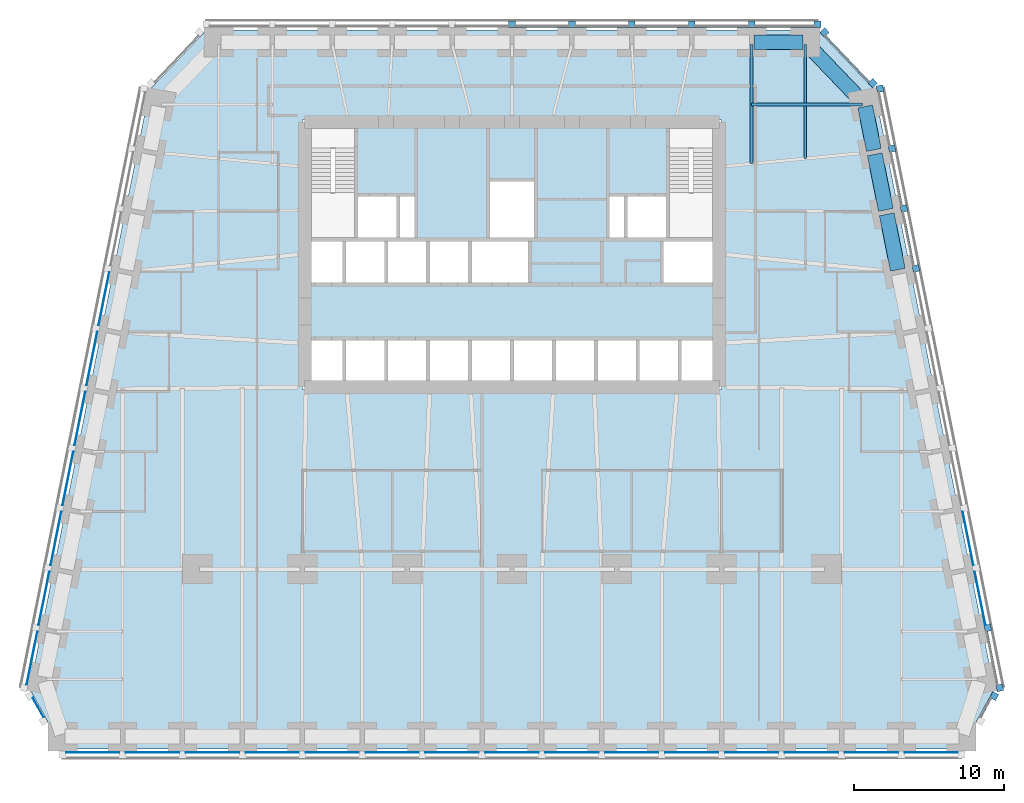
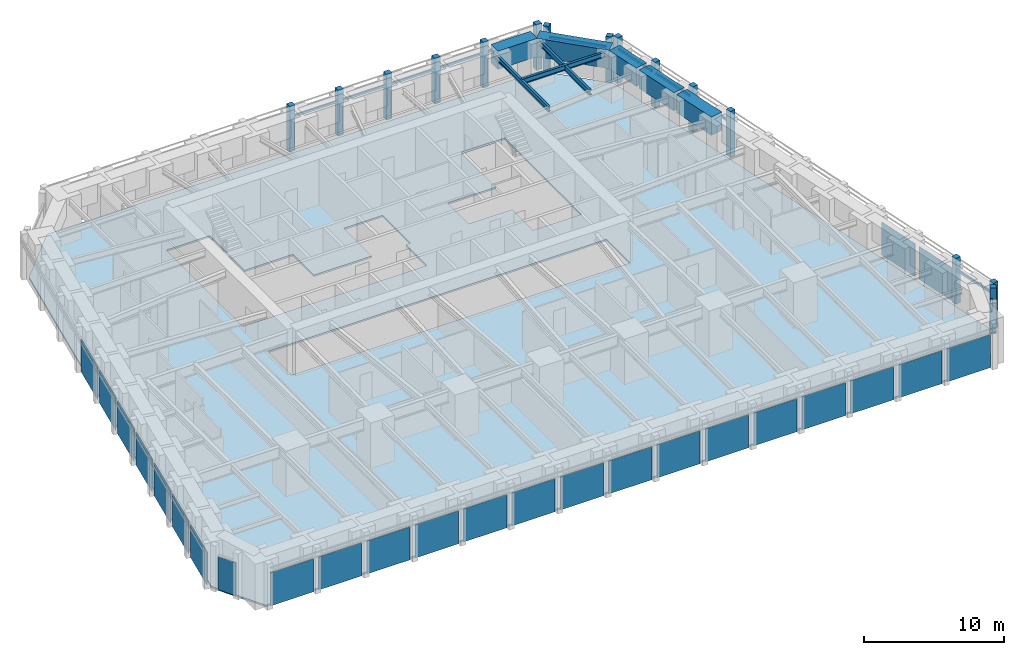
# One storey, part 4 of 10: 26 members, 25 plates, 8 beams, 1 slab, 7 elements without a shape of their own.
"""IFC4 building model written with IfcOpenShell, lengths in metres."""

import ifcopenshell
import ifcopenshell.guid

model = None  # the IFC model being written
_history = None  # IfcOwnerHistory: only IFC2X3 demands one
_inside = {}  # id of a spatial element -> (the spatial element, [elements in it])
_under = {}  # id of a project, library or spatial element -> (it, [spatial elements below it])
_declared = {}  # id of a project -> (the project, [libraries it declares])
_typed = {}  # id of a type object -> (the type object, [elements of that type])
_made_of = {}  # id of a material, layer set ... -> (it, [elements and type objects made of it])


def new_model(schema):
    """Start an empty IFC model of exactly this schema.

    Asked for "IFC4X3", IfcOpenShell would pick the latest addendum, in which some entities
    have other attributes; the version numbers below select the first issue.
    IFC2X3 requires an IfcOwnerHistory on every rooted entity: one is made here for all.
    """
    global model, _history
    if schema == "IFC4X3":
        model = ifcopenshell.file(schema_version=(4, 3, 0, 0))
    else:
        model = ifcopenshell.file(schema=schema)
    _inside.clear()
    _under.clear()
    _declared.clear()
    _typed.clear()
    _made_of.clear()
    _history = None
    if model.schema == "IFC2X3":
        org = make("IfcOrganization", Name="unknown")
        user = make(
            "IfcPersonAndOrganization",
            ThePerson=make("IfcPerson", FamilyName="unknown"),
            TheOrganization=org,
        )
        app = make(
            "IfcApplication",
            ApplicationDeveloper=org,
            Version="unknown",
            ApplicationFullName="unknown",
            ApplicationIdentifier="unknown",
        )
        _history = make(
            "IfcOwnerHistory",
            OwningUser=user,
            OwningApplication=app,
            ChangeAction="ADDED",
            CreationDate=0,
        )
    return model


def make(cls, **values):
    """One entity of the class cls with the attributes given. An attribute that is None is left unset."""
    return model.create_entity(
        cls, **{name: value for name, value in values.items() if value is not None}
    )


def rooted(cls, **values):
    """An entity with a GlobalId (a new one), such as an element, a storey or a relation."""
    return make(cls, GlobalId=ifcopenshell.guid.new(), OwnerHistory=_history, **values)


def si_unit(unit_type, name, prefix=None):
    """IfcSIUnit, for example si_unit("LENGTHUNIT", "METRE", prefix="MILLI")."""
    return make("IfcSIUnit", UnitType=unit_type, Prefix=prefix, Name=name)


def assignment(units):
    """IfcUnitAssignment: the units of a project."""
    return None if units is None else make("IfcUnitAssignment", Units=units)


def point(xyz):
    """IfcCartesianPoint."""
    return None if xyz is None else make("IfcCartesianPoint", Coordinates=xyz)


def direction(xyz):
    """IfcDirection."""
    return None if xyz is None else make("IfcDirection", DirectionRatios=xyz)


def frame(location, z_axis=None, x_axis=None):
    """IfcAxis2Placement3D, a coordinate frame: its origin and axes. An axis left out is left unset."""
    return make(
        "IfcAxis2Placement3D",
        Location=point(location),
        Axis=direction(z_axis),
        RefDirection=direction(x_axis),
    )


def frame_2d(location, x_axis=None):
    """IfcAxis2Placement2D, a coordinate frame in the plane: its origin and x axis."""
    return make(
        "IfcAxis2Placement2D", Location=point(location), RefDirection=direction(x_axis)
    )


def origin():
    """The frame at (0, 0, 0) with its axes left unset."""
    return frame((0.0, 0.0, 0.0))


def origin_2d():
    """The frame at (0, 0) in the plane with its x axis left unset."""
    return frame_2d((0.0, 0.0))


def place(relative_to, where):
    """IfcLocalPlacement: puts the frame where relative to a parent placement (None: the world)."""
    return make(
        "IfcLocalPlacement", PlacementRelTo=relative_to, RelativePlacement=where
    )


def context(
    kind, dimensions, precision=None, world=None, true_north=None, identifier=None
):
    """IfcGeometricRepresentationContext, for example the 3D "Model" context."""
    return make(
        "IfcGeometricRepresentationContext",
        ContextIdentifier=identifier,
        ContextType=kind,
        CoordinateSpaceDimension=dimensions,
        Precision=precision,
        WorldCoordinateSystem=world,
        TrueNorth=true_north,
    )


def subcontext(parent, identifier, kind, view, scale=None):
    """IfcGeometricRepresentationSubContext, for example "Body" below "Model"."""
    return make(
        "IfcGeometricRepresentationSubContext",
        ContextIdentifier=identifier,
        ContextType=kind,
        ParentContext=parent,
        TargetScale=scale,
        TargetView=view,
    )


def project(units=None, contexts=None):
    """IfcProject with its units and contexts."""
    return rooted(
        "IfcProject",
        Name="project",
        RepresentationContexts=contexts,
        UnitsInContext=assignment(units),
    )


def spatial(cls, under=None, at=None, **own):
    """A site, building, storey or space (cls), placed at a placement, below another one or the project."""
    s = rooted(cls, ObjectPlacement=at, **own)
    if under is not None:
        _under.setdefault(under.id(), (under, []))[1].append(s)
    return s


def polyline(points):
    """IfcPolyline through the points."""
    return make("IfcPolyline", Points=[point(p) for p in points])


def profile(cls, at=None, kind="AREA", **sizes):
    """A parametric profile (cls). Its sizes go by their IFC names, for example OverallWidth=200.0."""
    return make(cls, ProfileType=kind, Position=at, **sizes)


def rectangle(**sizes):
    """IfcRectangleProfileDef."""
    return profile("IfcRectangleProfileDef", **sizes)


def i_section(**sizes):
    """IfcIShapeProfileDef."""
    return profile("IfcIShapeProfileDef", **sizes)


def outline(outer, holes=None, kind="AREA"):
    """IfcArbitraryClosedProfileDef: a profile drawn as a closed curve; with holes, ...WithVoids."""
    if holes is None:
        return make("IfcArbitraryClosedProfileDef", ProfileType=kind, OuterCurve=outer)
    return make(
        "IfcArbitraryProfileDefWithVoids",
        ProfileType=kind,
        OuterCurve=outer,
        InnerCurves=holes,
    )


def extrude(swept, where, along, depth):
    """IfcExtrudedAreaSolid: the profile swept, set in the frame where, extruded along a direction by depth."""
    return make(
        "IfcExtrudedAreaSolid",
        SweptArea=swept,
        Position=where,
        ExtrudedDirection=direction(along),
        Depth=depth,
    )


def shape(context_of_items, identifier, shape_type, items):
    """IfcShapeRepresentation: the items that make up one representation, for example the "Body"."""
    return make(
        "IfcShapeRepresentation",
        ContextOfItems=context_of_items,
        RepresentationIdentifier=identifier,
        RepresentationType=shape_type,
        Items=items,
    )


def material(Name=None, Category=None):
    """IfcMaterial."""
    return make("IfcMaterial", Name=Name, Category=Category)


def layer(
    of_material, thickness, ventilated=None, Name=None, Category=None, Priority=None
):
    """IfcMaterialLayer: one layer of a wall or slab, of a material (None: an air gap)."""
    return make(
        "IfcMaterialLayer",
        Material=of_material,
        LayerThickness=thickness,
        IsVentilated=ventilated,
        Name=Name,
        Category=Category,
        Priority=Priority,
    )


def layer_set(layers, Name=None):
    """IfcMaterialLayerSet."""
    return make("IfcMaterialLayerSet", MaterialLayers=layers, LayerSetName=Name)


def material_profile(
    of_material, cross_section, Name=None, Category=None, Priority=None
):
    """IfcMaterialProfile: a cross section and its material."""
    return make(
        "IfcMaterialProfile",
        Name=Name,
        Material=of_material,
        Profile=cross_section,
        Priority=Priority,
        Category=Category,
    )


def profile_set(profiles, Name=None, composite=None):
    """IfcMaterialProfileSet."""
    return make(
        "IfcMaterialProfileSet",
        Name=Name,
        MaterialProfiles=profiles,
        CompositeProfile=composite,
    )


def made_of(thing, what):
    """Note that an element or type object is made of a material, layer set ...; save() writes the relation."""
    if what is not None:
        _made_of.setdefault(what.id(), (what, []))[1].append(thing)
    return thing


def type_object(cls, material=None, **own):
    """A type object (cls), such as IfcWallType, which elements share."""
    return made_of(rooted(cls, **own), material)


def element(
    cls,
    number,
    at=None,
    inside=None,
    cuts=None,
    type_object=None,
    material=None,
    context=None,
    identifier="Body",
    shape_type=None,
    held_by="IfcProductDefinitionShape",
    body=None,
    shapes=None,
    **own,
):
    """One element of the class cls, such as IfcWall. Its Tag is "e" and its number.

    at: its placement. inside: the storey or other place that contains it. cuts: it is an
    opening in that element (IfcRelVoidsElement). A single representation is given by context,
    identifier, shape_type and body (its items); several are given by shapes. held_by: the class
    of the entity that holds the representations. save() writes the other relations.
    """
    e = rooted(cls, Tag="e%d" % number, ObjectPlacement=at, **own)
    if body is not None:
        shapes = [shape(context, identifier, shape_type, body)]
    if shapes is not None:
        e.Representation = make(held_by, Representations=shapes)
    if inside is not None:
        _inside.setdefault(inside.id(), (inside, []))[1].append(e)
    if cuts is not None:
        rooted(
            "IfcRelVoidsElement", RelatingBuildingElement=cuts, RelatedOpeningElement=e
        )
    if type_object is not None:
        _typed.setdefault(type_object.id(), (type_object, []))[1].append(e)
    return made_of(e, material)


def aggregate(whole, parts):
    """IfcRelAggregates: a whole, such as a stair, and the parts it consists of."""
    return rooted("IfcRelAggregates", RelatingObject=whole, RelatedObjects=parts)


def save(model, path):
    """Write the relations noted so far, then the file.

    IfcRelAggregates (storeys below a building ...), IfcRelContainedInSpatialStructure (elements
    in a storey), IfcRelDefinesByType, IfcRelAssociatesMaterial and IfcRelDeclares: one each for
    every whole, place, type object, material and project.
    """
    for whole, parts in _under.values():
        aggregate(whole, parts)
    for where, things in _inside.values():
        rooted(
            "IfcRelContainedInSpatialStructure",
            RelatedElements=things,
            RelatingStructure=where,
        )
    for kind, things in _typed.values():
        rooted("IfcRelDefinesByType", RelatedObjects=things, RelatingType=kind)
    for what, things in _made_of.values():
        rooted("IfcRelAssociatesMaterial", RelatedObjects=things, RelatingMaterial=what)
    for by, libraries in _declared.values():
        rooted("IfcRelDeclares", RelatingContext=by, RelatedDefinitions=libraries)
    model.write(path)


model = new_model("IFC4")

# Units and contexts
model_context = context("Model", 3, precision=1e-05, world=origin(), true_north=direction((0.0, 1.0)))
body_context = subcontext(model_context, "Body", "Model", "MODEL_VIEW")
ifc_project = project(units=[si_unit("LENGTHUNIT", "METRE"), si_unit("AREAUNIT", "SQUARE_METRE"), si_unit("VOLUMEUNIT", "CUBIC_METRE"), si_unit("PLANEANGLEUNIT", "RADIAN"), si_unit("MASSUNIT", "GRAM", prefix="KILO")], contexts=[model_context])

# Site, building, storey
site_placement = place(None, origin())
site = spatial("IfcSite", under=ifc_project, at=site_placement, CompositionType="ELEMENT")
building_placement = place(site_placement, origin())
building = spatial("IfcBuilding", under=site, at=building_placement, Name="Isbrekke Arena Tower", CompositionType="ELEMENT")
storey_placement = place(building_placement, frame((0.0, 0.0, 60.0)))
storey = spatial("IfcBuildingStorey", under=building, at=storey_placement, Name="L12", CompositionType="ELEMENT", Elevation=60.0)

# Beams
ifc_material_1 = material(Name="Steel S355", Category="steel")
ifc_material_profile_1 = material_profile(ifc_material_1, i_section(OverallWidth=0.18994140625, OverallDepth=0.449951171875, WebThickness=0.009521484375, FlangeThickness=0.0146484375, FilletRadius=0.02099609375, at=origin_2d()), Name="IPE 450")
ifc_profile_set_1 = profile_set([ifc_material_profile_1], Name="Steel S355")
beam_type_1 = type_object("IfcBeamType", Name="B2 IPE 450", PredefinedType="BEAM", material=ifc_profile_set_1)
beam_1_placement = place(storey_placement, frame((23.40283203125, 25.029296875, 3.625), z_axis=(-1.0, 0.0, 0.0), x_axis=(0.0, -1.0, 0.0)))
element("IfcBeam", 1, at=beam_1_placement, inside=storey, type_object=beam_type_1, Name="B2 beam E-E11 L12", PredefinedType="BEAM", context=body_context, shape_type="SweptSolid", body=[
    extrude(i_section(OverallWidth=0.18994140625, OverallDepth=0.449951171875, WebThickness=0.009521484375, FlangeThickness=0.0146484375, FilletRadius=0.02099609375, at=origin_2d()), origin(), (0.0, 0.0, 1.0), 7.40283203125),
])
ifc_material_2 = material(Name="Steel S355", Category="steel")
ifc_material_profile_2 = material_profile(ifc_material_2, i_section(OverallWidth=0.18994140625, OverallDepth=0.449951171875, WebThickness=0.009521484375, FlangeThickness=0.0146484375, FilletRadius=0.02099609375, at=origin_2d()), Name="IPE 450")
ifc_profile_set_2 = profile_set([ifc_material_profile_2], Name="Steel S355")
beam_type_2 = type_object("IfcBeamType", Name="B3 IPE 450", PredefinedType="BEAM", material=ifc_profile_set_2)
beam_2_placement = place(storey_placement, frame((19.574951171875, 29.02490234375, 3.625), z_axis=(0.0, -1.0, 0.0), x_axis=(1.0, 0.0, 0.0)))
element("IfcBeam", 2, at=beam_2_placement, inside=storey, type_object=beam_type_2, Name="B3 beam N-N01 L12", PredefinedType="BEAM", context=body_context, shape_type="SweptSolid", body=[
    extrude(i_section(OverallWidth=0.18994140625, OverallDepth=0.449951171875, WebThickness=0.009521484375, FlangeThickness=0.0146484375, FilletRadius=0.02099609375, at=origin_2d()), origin(), (0.0, 0.0, 1.0), 7.616943359375),
])
beam_3_placement = place(storey_placement, frame((16.0, 29.02490234375, 3.625), z_axis=(0.0, -1.0, 0.0), x_axis=(1.0, 0.0, 0.0)))
element("IfcBeam", 3, at=beam_3_placement, inside=storey, type_object=beam_type_2, Name="B3 beam N-N02 L12", PredefinedType="BEAM", context=body_context, shape_type="SweptSolid", body=[
    extrude(i_section(OverallWidth=0.18994140625, OverallDepth=0.449951171875, WebThickness=0.009521484375, FlangeThickness=0.0146484375, FilletRadius=0.02099609375, at=origin_2d()), origin(), (0.0, 0.0, 1.0), 7.961181640625),
])

# Curtain wall, member
ifc_material_3 = material(Name="Glazed aluminium curtain wall", Category="aluminium")
curtain_wall_type = type_object("IfcCurtainWallType", Name="CWL TOWER CURTAIN WALL LOW ZONE", PredefinedType="USERDEFINED", material=ifc_material_3)
curtain_wall_1_placement = place(storey_placement, origin())
curtain_wall_1 = element("IfcCurtainWall", 4, at=curtain_wall_1_placement, inside=storey, type_object=curtain_wall_type, Name="CWL curtain wall L12-SE", ObjectType="TOWER CURTAIN WALL LOW ZONE", PredefinedType="USERDEFINED")
ifc_material_4 = material(Name="Aluminium mullion, pale brick slip cladding", Category="masonry")
ifc_material_profile_3 = material_profile(ifc_material_4, rectangle(XDim=0.449951171875, YDim=0.449951171875, at=origin_2d()), Name="PIER 450X450")
ifc_profile_set_3 = profile_set([ifc_material_profile_3], Name="Aluminium mullion, pale brick slip cladding")
member_type_1 = type_object("IfcMemberType", Name="CWL-M PIER MULLION 450 x 450", PredefinedType="MULLION", material=ifc_profile_set_3)
member_1_placement = place(storey_placement, frame((32.195556640625, -14.47509765625, 0.0), z_axis=(0.0, 0.0, 1.0), x_axis=(0.481918749773, 0.876215908676, 0.0)))
member_1 = element("IfcMember", 5, at=member_1_placement, type_object=member_type_1, Name="CWL-M mullion 2", PredefinedType="MULLION", context=body_context, shape_type="SweptSolid", body=[
    extrude(rectangle(XDim=0.449951171875, YDim=0.449951171875, at=origin_2d()), origin(), (0.0, 0.0, 1.0), 4.0),
])

# Curtain wall, members
curtain_wall_2_placement = place(storey_placement, origin())
curtain_wall_2 = element("IfcCurtainWall", 6, at=curtain_wall_2_placement, inside=storey, type_object=curtain_wall_type, Name="CWL curtain wall L12-E", ObjectType="TOWER CURTAIN WALL LOW ZONE", PredefinedType="USERDEFINED")
member_2_placement = place(storey_placement, frame((32.567626953125, -13.926513671875, 0.0), z_axis=(0.0, 0.0, 1.0), x_axis=(-0.196116135138, 0.980580675691, 0.0)))
member_2 = element("IfcMember", 7, at=member_2_placement, type_object=member_type_1, Name="CWL-M mullion 1", PredefinedType="MULLION", context=body_context, shape_type="SweptSolid", body=[
    extrude(rectangle(XDim=0.449951171875, YDim=0.449951171875, at=origin_2d()), origin(), (0.0, 0.0, 1.0), 4.0),
])
member_3_placement = place(storey_placement, frame((31.767822265625, -9.926513671875, 0.0), z_axis=(0.0, 0.0, 1.0), x_axis=(-0.196116135138, 0.980580675691, 0.0)))
member_3 = element("IfcMember", 8, at=member_3_placement, type_object=member_type_1, Name="CWL-M mullion 2", PredefinedType="MULLION", context=body_context, shape_type="SweptSolid", body=[
    extrude(rectangle(XDim=0.449951171875, YDim=0.449951171875, at=origin_2d()), origin(), (0.0, 0.0, 1.0), 4.0),
])
member_4_placement = place(storey_placement, frame((26.9677734375, 14.073486328125, 0.0), z_axis=(0.0, 0.0, 1.0), x_axis=(-0.196116135138, 0.980580675691, 0.0)))
member_4 = element("IfcMember", 9, at=member_4_placement, type_object=member_type_1, Name="CWL-M mullion 8", PredefinedType="MULLION", context=body_context, shape_type="SweptSolid", body=[
    extrude(rectangle(XDim=0.449951171875, YDim=0.449951171875, at=origin_2d()), origin(), (0.0, 0.0, 1.0), 4.0),
])
member_5_placement = place(storey_placement, frame((26.167724609375, 18.073486328125, 0.0), z_axis=(0.0, 0.0, 1.0), x_axis=(-0.196116135138, 0.980580675691, 0.0)))
member_5 = element("IfcMember", 10, at=member_5_placement, type_object=member_type_1, Name="CWL-M mullion 9", PredefinedType="MULLION", context=body_context, shape_type="SweptSolid", body=[
    extrude(rectangle(XDim=0.449951171875, YDim=0.449951171875, at=origin_2d()), origin(), (0.0, 0.0, 1.0), 4.0),
])
member_6_placement = place(storey_placement, frame((25.36767578125, 22.073486328125, 0.0), z_axis=(0.0, 0.0, 1.0), x_axis=(-0.196116135138, 0.980580675691, 0.0)))
member_6 = element("IfcMember", 11, at=member_6_placement, type_object=member_type_1, Name="CWL-M mullion 10", PredefinedType="MULLION", context=body_context, shape_type="SweptSolid", body=[
    extrude(rectangle(XDim=0.449951171875, YDim=0.449951171875, at=origin_2d()), origin(), (0.0, 0.0, 1.0), 4.0),
])
member_7_placement = place(storey_placement, frame((24.567626953125, 26.073486328125, 0.0), z_axis=(0.0, 0.0, 1.0), x_axis=(-0.196116135138, 0.980580675691, 0.0)))
member_7 = element("IfcMember", 12, at=member_7_placement, type_object=member_type_1, Name="CWL-M mullion 11", PredefinedType="MULLION", context=body_context, shape_type="SweptSolid", body=[
    extrude(rectangle(XDim=0.449951171875, YDim=0.449951171875, at=origin_2d()), origin(), (0.0, 0.0, 1.0), 4.0),
])

curtain_wall_3_placement = place(storey_placement, origin())
curtain_wall_3 = element("IfcCurtainWall", 13, at=curtain_wall_3_placement, inside=storey, type_object=curtain_wall_type, Name="CWL curtain wall L12-EN", ObjectType="TOWER CURTAIN WALL LOW ZONE", PredefinedType="USERDEFINED")
member_8_placement = place(storey_placement, frame((24.08837890625, 26.444091796875, 0.0), z_axis=(0.0, 0.0, 1.0), x_axis=(-0.68874946192, 0.72499943359, 0.0)))
member_8 = element("IfcMember", 14, at=member_8_placement, type_object=member_type_1, Name="CWL-M mullion 1", PredefinedType="MULLION", context=body_context, shape_type="SweptSolid", body=[
    extrude(rectangle(XDim=0.449951171875, YDim=0.449951171875, at=origin_2d()), origin(), (0.0, 0.0, 1.0), 4.0),
])
member_9_placement = place(storey_placement, frame((20.86572265625, 29.83642578125, 0.0), z_axis=(0.0, 0.0, 1.0), x_axis=(-0.68874946192, 0.72499943359, 0.0)))
member_9 = element("IfcMember", 15, at=member_9_placement, type_object=member_type_1, Name="CWL-M mullion 2", PredefinedType="MULLION", context=body_context, shape_type="SweptSolid", body=[
    extrude(rectangle(XDim=0.449951171875, YDim=0.449951171875, at=origin_2d()), origin(), (0.0, 0.0, 1.0), 4.0),
])

curtain_wall_4_placement = place(storey_placement, origin())
curtain_wall_4 = element("IfcCurtainWall", 16, at=curtain_wall_4_placement, inside=storey, type_object=curtain_wall_type, Name="CWL curtain wall L12-N", ObjectType="TOWER CURTAIN WALL LOW ZONE", PredefinedType="USERDEFINED")
member_10_placement = place(storey_placement, frame((20.39990234375, 30.375, 0.0), z_axis=(0.0, 0.0, 1.0), x_axis=(-1.0, 0.0, 0.0)))
member_10 = element("IfcMember", 17, at=member_10_placement, type_object=member_type_1, Name="CWL-M mullion 1", PredefinedType="MULLION", context=body_context, shape_type="SweptSolid", body=[
    extrude(rectangle(XDim=0.449951171875, YDim=0.449951171875, at=origin_2d()), origin(), (0.0, 0.0, 1.0), 4.0),
])
member_11_placement = place(storey_placement, frame((16.0, 30.375, 0.0), z_axis=(0.0, 0.0, 1.0), x_axis=(-1.0, 0.0, 0.0)))
member_11 = element("IfcMember", 18, at=member_11_placement, type_object=member_type_1, Name="CWL-M mullion 2", PredefinedType="MULLION", context=body_context, shape_type="SweptSolid", body=[
    extrude(rectangle(XDim=0.449951171875, YDim=0.449951171875, at=origin_2d()), origin(), (0.0, 0.0, 1.0), 4.0),
])
member_12_placement = place(storey_placement, frame((12.0, 30.375, 0.0), z_axis=(0.0, 0.0, 1.0), x_axis=(-1.0, 0.0, 0.0)))
member_12 = element("IfcMember", 19, at=member_12_placement, type_object=member_type_1, Name="CWL-M mullion 3", PredefinedType="MULLION", context=body_context, shape_type="SweptSolid", body=[
    extrude(rectangle(XDim=0.449951171875, YDim=0.449951171875, at=origin_2d()), origin(), (0.0, 0.0, 1.0), 4.0),
])
member_13_placement = place(storey_placement, frame((8.0, 30.375, 0.0), z_axis=(0.0, 0.0, 1.0), x_axis=(-1.0, 0.0, 0.0)))
member_13 = element("IfcMember", 20, at=member_13_placement, type_object=member_type_1, Name="CWL-M mullion 4", PredefinedType="MULLION", context=body_context, shape_type="SweptSolid", body=[
    extrude(rectangle(XDim=0.449951171875, YDim=0.449951171875, at=origin_2d()), origin(), (0.0, 0.0, 1.0), 4.0),
])
member_14_placement = place(storey_placement, frame((4.0, 30.375, 0.0), z_axis=(0.0, 0.0, 1.0), x_axis=(-1.0, 0.0, 0.0)))
member_14 = element("IfcMember", 21, at=member_14_placement, type_object=member_type_1, Name="CWL-M mullion 5", PredefinedType="MULLION", context=body_context, shape_type="SweptSolid", body=[
    extrude(rectangle(XDim=0.449951171875, YDim=0.449951171875, at=origin_2d()), origin(), (0.0, 0.0, 1.0), 4.0),
])
member_15_placement = place(storey_placement, frame((0.0, 30.375, 0.0), z_axis=(0.0, 0.0, 1.0), x_axis=(-1.0, 0.0, 0.0)))
member_15 = element("IfcMember", 22, at=member_15_placement, type_object=member_type_1, Name="CWL-M mullion 6", PredefinedType="MULLION", context=body_context, shape_type="SweptSolid", body=[
    extrude(rectangle(XDim=0.449951171875, YDim=0.449951171875, at=origin_2d()), origin(), (0.0, 0.0, 1.0), 4.0),
])

# Member
ifc_material_5 = material(Name="Aluminium transom", Category="aluminium")
ifc_material_profile_4 = material_profile(ifc_material_5, rectangle(XDim=0.1201171875, YDim=0.199951171875, at=origin_2d()), Name="TRANSOM 120X200")
ifc_profile_set_4 = profile_set([ifc_material_profile_4], Name="Aluminium transom")
member_type_2 = type_object("IfcMemberType", Name="CWL-T TRANSOM 120 x 200", PredefinedType="USERDEFINED", material=ifc_profile_set_4)
member_16_placement = place(storey_placement, frame((31.277099609375, -15.88525390625, 3.0), z_axis=(0.481944543569, 0.876201721594, 0.0), x_axis=(-0.876201721594, 0.481944543569, 0.0)))
member_16 = element("IfcMember", 23, at=member_16_placement, type_object=member_type_2, Name="CWL-T transom 1", ObjectType="TRANSOM", PredefinedType="USERDEFINED", context=body_context, shape_type="SweptSolid", body=[
    extrude(rectangle(XDim=0.1201171875, YDim=0.199951171875, at=origin_2d()), origin(), (0.0, 0.0, 1.0), 1.453369140625),
])

aggregate(curtain_wall_1, [member_1, member_16])

member_17_placement = place(storey_placement, frame((32.401123046875, -13.730224609375, 3.0), z_axis=(-0.196167883278, 0.980570324643, 0.0), x_axis=(-0.980570324643, -0.196167883278, 0.0)))
member_17 = element("IfcMember", 24, at=member_17_placement, type_object=member_type_2, Name="CWL-T transom 1", ObjectType="TRANSOM", PredefinedType="USERDEFINED", context=body_context, shape_type="SweptSolid", body=[
    extrude(rectangle(XDim=0.1201171875, YDim=0.199951171875, at=origin_2d()), origin(), (0.0, 0.0, 1.0), 3.629150390625),
])

member_18_placement = place(storey_placement, frame((26.801025390625, 14.269775390625, 3.0), z_axis=(-0.196103197847, 0.98058326306, 0.0), x_axis=(-0.98058326306, -0.196103197847, 0.0)))
member_18 = element("IfcMember", 25, at=member_18_placement, type_object=member_type_2, Name="CWL-T transom 8", ObjectType="TRANSOM", PredefinedType="USERDEFINED", context=body_context, shape_type="SweptSolid", body=[
    extrude(rectangle(XDim=0.1201171875, YDim=0.199951171875, at=origin_2d()), origin(), (0.0, 0.0, 1.0), 3.629150390625),
])

member_19_placement = place(storey_placement, frame((26.0009765625, 18.269775390625, 3.0), z_axis=(-0.196103197847, 0.98058326306, 0.0), x_axis=(-0.98058326306, -0.196103197847, 0.0)))
member_19 = element("IfcMember", 26, at=member_19_placement, type_object=member_type_2, Name="CWL-T transom 9", ObjectType="TRANSOM", PredefinedType="USERDEFINED", context=body_context, shape_type="SweptSolid", body=[
    extrude(rectangle(XDim=0.1201171875, YDim=0.199951171875, at=origin_2d()), origin(), (0.0, 0.0, 1.0), 3.629150390625),
])

member_20_placement = place(storey_placement, frame((25.200927734375, 22.269775390625, 3.0), z_axis=(-0.196103197847, 0.98058326306, 0.0), x_axis=(-0.98058326306, -0.196103197847, 0.0)))
member_20 = element("IfcMember", 27, at=member_20_placement, type_object=member_type_2, Name="CWL-T transom 10", ObjectType="TRANSOM", PredefinedType="USERDEFINED", context=body_context, shape_type="SweptSolid", body=[
    extrude(rectangle(XDim=0.1201171875, YDim=0.199951171875, at=origin_2d()), origin(), (0.0, 0.0, 1.0), 3.629150390625),
])

member_21_placement = place(storey_placement, frame((23.8427734375, 26.521240234375, 3.0), z_axis=(-0.688776771287, 0.724973488712, 0.0), x_axis=(-0.724973488712, -0.688776771287, 0.0)))
member_21 = element("IfcMember", 28, at=member_21_placement, type_object=member_type_2, Name="CWL-T transom 1", ObjectType="TRANSOM", PredefinedType="USERDEFINED", context=body_context, shape_type="SweptSolid", body=[
    extrude(rectangle(XDim=0.1201171875, YDim=0.199951171875, at=origin_2d()), origin(), (0.0, 0.0, 1.0), 4.22900390625),
])

aggregate(curtain_wall_3, [member_8, member_9, member_21])

member_22_placement = place(storey_placement, frame((20.175048828125, 30.25, 3.0), z_axis=(-1.0, 0.0, 0.0), x_axis=(0.0, -1.0, 0.0)))
member_22 = element("IfcMember", 29, at=member_22_placement, type_object=member_type_2, Name="CWL-T transom 1", ObjectType="TRANSOM", PredefinedType="USERDEFINED", context=body_context, shape_type="SweptSolid", body=[
    extrude(rectangle(XDim=0.1201171875, YDim=0.199951171875, at=origin_2d()), origin(), (0.0, 0.0, 1.0), 3.949951171875),
])

member_23_placement = place(storey_placement, frame((15.77490234375, 30.25, 3.0), z_axis=(-1.0, 0.0, 0.0), x_axis=(0.0, -1.0, 0.0)))
member_23 = element("IfcMember", 30, at=member_23_placement, type_object=member_type_2, Name="CWL-T transom 2", ObjectType="TRANSOM", PredefinedType="USERDEFINED", context=body_context, shape_type="SweptSolid", body=[
    extrude(rectangle(XDim=0.1201171875, YDim=0.199951171875, at=origin_2d()), origin(), (0.0, 0.0, 1.0), 3.5498046875),
])

member_24_placement = place(storey_placement, frame((11.77490234375, 30.25, 3.0), z_axis=(-1.0, 0.0, 0.0), x_axis=(0.0, -1.0, 0.0)))
member_24 = element("IfcMember", 31, at=member_24_placement, type_object=member_type_2, Name="CWL-T transom 3", ObjectType="TRANSOM", PredefinedType="USERDEFINED", context=body_context, shape_type="SweptSolid", body=[
    extrude(rectangle(XDim=0.1201171875, YDim=0.199951171875, at=origin_2d()), origin(), (0.0, 0.0, 1.0), 3.5498046875),
])

member_25_placement = place(storey_placement, frame((7.77490234375, 30.25, 3.0), z_axis=(-1.0, 0.0, 0.0), x_axis=(0.0, -1.0, 0.0)))
member_25 = element("IfcMember", 32, at=member_25_placement, type_object=member_type_2, Name="CWL-T transom 4", ObjectType="TRANSOM", PredefinedType="USERDEFINED", context=body_context, shape_type="SweptSolid", body=[
    extrude(rectangle(XDim=0.1201171875, YDim=0.199951171875, at=origin_2d()), origin(), (0.0, 0.0, 1.0), 3.5498046875),
])

member_26_placement = place(storey_placement, frame((3.77490234375, 30.25, 3.0), z_axis=(-1.0, 0.0, 0.0), x_axis=(0.0, -1.0, 0.0)))
member_26 = element("IfcMember", 33, at=member_26_placement, type_object=member_type_2, Name="CWL-T transom 5", ObjectType="TRANSOM", PredefinedType="USERDEFINED", context=body_context, shape_type="SweptSolid", body=[
    extrude(rectangle(XDim=0.1201171875, YDim=0.199951171875, at=origin_2d()), origin(), (0.0, 0.0, 1.0), 3.5498046875),
])

aggregate(curtain_wall_4, [member_10, member_11, member_12, member_13, member_14, member_15, member_22, member_23, member_24, member_25, member_26])

# Beams
ifc_material_6 = material(Name="Concrete B90 (C90/105)", Category="concrete")
ifc_material_profile_5 = material_profile(ifc_material_6, rectangle(XDim=1.0, YDim=1.60009765625, at=origin_2d()), Name="RC 1000x1600")
ifc_profile_set_5 = profile_set([ifc_material_profile_5], Name="Concrete B90 (C90/105)")
beam_type_3 = type_object("IfcBeamType", Name="SB1 RC 1000 x 1600", PredefinedType="SPANDREL", material=ifc_profile_set_5)
for number, where, z_axis, x_axis, name in (
    (34, (25.76171875, 13.9853515625, 3.199951171875), (-0.196128558387, 0.980578190959, 0.0), (-0.980578190959, -0.196128558387, 0.0), "SB1 spandrel E08-E09 L12"),
    (35, (24.961669921875, 17.9853515625, 3.199951171875), (-0.196128558387, 0.980578190959, 0.0), (-0.980578190959, -0.196128558387, 0.0), "SB1 spandrel E09-E10 L12"),
):
    element("IfcBeam", number, at=place(storey_placement, frame(where, z_axis=z_axis, x_axis=x_axis)), inside=storey, type_object=beam_type_3, Name=name, PredefinedType="SPANDREL", context=body_context, shape_type="SweptSolid", body=[
        extrude(rectangle(XDim=1.0, YDim=1.60009765625, at=origin_2d()), origin(), (0.0, 0.0, 1.0), 3.779296875),
    ])
beam_4_placement = place(storey_placement, frame((24.16162109375, 21.9853515625, 3.199951171875), z_axis=(-0.196116135138, 0.980580675691, 0.0), x_axis=(-0.980580675691, -0.196116135138, 0.0)))
element("IfcBeam", 36, at=beam_4_placement, inside=storey, type_object=beam_type_3, Name="SB1 spandrel E10-E11 L12", PredefinedType="SPANDREL", context=body_context, shape_type="SweptSolid", body=[
    extrude(rectangle(XDim=1.0, YDim=1.60009765625, at=origin_2d()), origin(), (0.0, 0.0, 1.0), 2.9541015625),
])
beam_5_placement = place(storey_placement, frame((23.448974609375, 25.137451171875, 3.199951171875), z_axis=(-0.692339547635, 0.721571861134, 0.0), x_axis=(-0.721571861134, -0.692339547635, 0.0)))
element("IfcBeam", 37, at=beam_5_placement, inside=storey, type_object=beam_type_3, Name="SB1 spandrel E11-N01 L12", PredefinedType="SPANDREL", context=body_context, shape_type="SweptSolid", body=[
    extrude(rectangle(XDim=1.0, YDim=1.60009765625, at=origin_2d()), origin(), (0.0, 0.0, 1.0), 5.4453125),
])
beam_6_placement = place(storey_placement, frame((19.425048828125, 29.175048828125, 3.199951171875), z_axis=(-1.0, 0.0, 0.0), x_axis=(0.0, -1.0, 0.0)))
element("IfcBeam", 38, at=beam_6_placement, inside=storey, type_object=beam_type_3, Name="SB1 spandrel N01-N02 L12", PredefinedType="SPANDREL", context=body_context, shape_type="SweptSolid", body=[
    extrude(rectangle(XDim=1.0, YDim=1.60009765625, at=origin_2d()), origin(), (0.0, 0.0, 1.0), 3.275146484375),
])

# Curtain wall, plates
curtain_wall_5_placement = place(storey_placement, origin())
curtain_wall_5 = element("IfcCurtainWall", 39, at=curtain_wall_5_placement, inside=storey, type_object=curtain_wall_type, Name="CWL curtain wall L12-S", ObjectType="TOWER CURTAIN WALL LOW ZONE", PredefinedType="USERDEFINED")
ifc_material_7 = material(Name="Triple-glazed clear glass unit", Category="glass")
ifc_layer_1 = layer(ifc_material_7, 0.031982421875)
ifc_layer_set_1 = layer_set([ifc_layer_1], Name="CWL-P VISION PANEL")
plate_type = type_object("IfcPlateType", Name="CWL-P VISION PANEL", PredefinedType="CURTAIN_PANEL", material=ifc_layer_set_1)
plate_1_placement = place(storey_placement, frame((-28.0, -18.25, 0.02001953125), z_axis=(0.0, 0.0, 1.0), x_axis=(1.0, 0.0, 0.0)))
plate_1 = element("IfcPlate", 40, at=plate_1_placement, type_object=plate_type, Name="CWL-P panel 1", PredefinedType="CURTAIN_PANEL", context=body_context, shape_type="SweptSolid", body=[
    extrude(rectangle(XDim=3.550048828125, YDim=0.031982421875, at=origin_2d()), origin(), (0.0, 0.0, 1.0), 2.8798828125),
])
plate_2_placement = place(storey_placement, frame((-24.0, -18.25, 0.02001953125), z_axis=(0.0, 0.0, 1.0), x_axis=(1.0, 0.0, 0.0)))
plate_2 = element("IfcPlate", 41, at=plate_2_placement, type_object=plate_type, Name="CWL-P panel 2", PredefinedType="CURTAIN_PANEL", context=body_context, shape_type="SweptSolid", body=[
    extrude(rectangle(XDim=3.550048828125, YDim=0.031982421875, at=origin_2d()), origin(), (0.0, 0.0, 1.0), 2.8798828125),
])
plate_3_placement = place(storey_placement, frame((-20.0, -18.25, 0.02001953125), z_axis=(0.0, 0.0, 1.0), x_axis=(1.0, 0.0, 0.0)))
plate_3 = element("IfcPlate", 42, at=plate_3_placement, type_object=plate_type, Name="CWL-P panel 3", PredefinedType="CURTAIN_PANEL", context=body_context, shape_type="SweptSolid", body=[
    extrude(rectangle(XDim=3.550048828125, YDim=0.031982421875, at=origin_2d()), origin(), (0.0, 0.0, 1.0), 2.8798828125),
])
plate_4_placement = place(storey_placement, frame((-16.0, -18.25, 0.02001953125), z_axis=(0.0, 0.0, 1.0), x_axis=(1.0, 0.0, 0.0)))
plate_4 = element("IfcPlate", 43, at=plate_4_placement, type_object=plate_type, Name="CWL-P panel 4", PredefinedType="CURTAIN_PANEL", context=body_context, shape_type="SweptSolid", body=[
    extrude(rectangle(XDim=3.550048828125, YDim=0.031982421875, at=origin_2d()), origin(), (0.0, 0.0, 1.0), 2.8798828125),
])
plate_5_placement = place(storey_placement, frame((-12.0, -18.25, 0.02001953125), z_axis=(0.0, 0.0, 1.0), x_axis=(1.0, 0.0, 0.0)))
plate_5 = element("IfcPlate", 44, at=plate_5_placement, type_object=plate_type, Name="CWL-P panel 5", PredefinedType="CURTAIN_PANEL", context=body_context, shape_type="SweptSolid", body=[
    extrude(rectangle(XDim=3.550048828125, YDim=0.031982421875, at=origin_2d()), origin(), (0.0, 0.0, 1.0), 2.8798828125),
])
plate_6_placement = place(storey_placement, frame((-8.0, -18.25, 0.02001953125), z_axis=(0.0, 0.0, 1.0), x_axis=(1.0, 0.0, 0.0)))
plate_6 = element("IfcPlate", 45, at=plate_6_placement, type_object=plate_type, Name="CWL-P panel 6", PredefinedType="CURTAIN_PANEL", context=body_context, shape_type="SweptSolid", body=[
    extrude(rectangle(XDim=3.550048828125, YDim=0.031982421875, at=origin_2d()), origin(), (0.0, 0.0, 1.0), 2.8798828125),
])
plate_7_placement = place(storey_placement, frame((-4.0, -18.25, 0.02001953125), z_axis=(0.0, 0.0, 1.0), x_axis=(1.0, 0.0, 0.0)))
plate_7 = element("IfcPlate", 46, at=plate_7_placement, type_object=plate_type, Name="CWL-P panel 7", PredefinedType="CURTAIN_PANEL", context=body_context, shape_type="SweptSolid", body=[
    extrude(rectangle(XDim=3.550048828125, YDim=0.031982421875, at=origin_2d()), origin(), (0.0, 0.0, 1.0), 2.8798828125),
])
plate_8_placement = place(storey_placement, frame((0.0, -18.25, 0.02001953125), z_axis=(0.0, 0.0, 1.0), x_axis=(1.0, 0.0, 0.0)))
plate_8 = element("IfcPlate", 47, at=plate_8_placement, type_object=plate_type, Name="CWL-P panel 8", PredefinedType="CURTAIN_PANEL", context=body_context, shape_type="SweptSolid", body=[
    extrude(rectangle(XDim=3.550048828125, YDim=0.031982421875, at=origin_2d()), origin(), (0.0, 0.0, 1.0), 2.8798828125),
])
plate_9_placement = place(storey_placement, frame((4.0, -18.25, 0.02001953125), z_axis=(0.0, 0.0, 1.0), x_axis=(1.0, 0.0, 0.0)))
plate_9 = element("IfcPlate", 48, at=plate_9_placement, type_object=plate_type, Name="CWL-P panel 9", PredefinedType="CURTAIN_PANEL", context=body_context, shape_type="SweptSolid", body=[
    extrude(rectangle(XDim=3.550048828125, YDim=0.031982421875, at=origin_2d()), origin(), (0.0, 0.0, 1.0), 2.8798828125),
])
plate_10_placement = place(storey_placement, frame((8.0, -18.25, 0.02001953125), z_axis=(0.0, 0.0, 1.0), x_axis=(1.0, 0.0, 0.0)))
plate_10 = element("IfcPlate", 49, at=plate_10_placement, type_object=plate_type, Name="CWL-P panel 10", PredefinedType="CURTAIN_PANEL", context=body_context, shape_type="SweptSolid", body=[
    extrude(rectangle(XDim=3.550048828125, YDim=0.031982421875, at=origin_2d()), origin(), (0.0, 0.0, 1.0), 2.8798828125),
])
plate_11_placement = place(storey_placement, frame((12.0, -18.25, 0.02001953125), z_axis=(0.0, 0.0, 1.0), x_axis=(1.0, 0.0, 0.0)))
plate_11 = element("IfcPlate", 50, at=plate_11_placement, type_object=plate_type, Name="CWL-P panel 11", PredefinedType="CURTAIN_PANEL", context=body_context, shape_type="SweptSolid", body=[
    extrude(rectangle(XDim=3.550048828125, YDim=0.031982421875, at=origin_2d()), origin(), (0.0, 0.0, 1.0), 2.8798828125),
])
plate_12_placement = place(storey_placement, frame((16.0, -18.25, 0.02001953125), z_axis=(0.0, 0.0, 1.0), x_axis=(1.0, 0.0, 0.0)))
plate_12 = element("IfcPlate", 51, at=plate_12_placement, type_object=plate_type, Name="CWL-P panel 12", PredefinedType="CURTAIN_PANEL", context=body_context, shape_type="SweptSolid", body=[
    extrude(rectangle(XDim=3.550048828125, YDim=0.031982421875, at=origin_2d()), origin(), (0.0, 0.0, 1.0), 2.8798828125),
])
plate_13_placement = place(storey_placement, frame((20.0, -18.25, 0.02001953125), z_axis=(0.0, 0.0, 1.0), x_axis=(1.0, 0.0, 0.0)))
plate_13 = element("IfcPlate", 52, at=plate_13_placement, type_object=plate_type, Name="CWL-P panel 13", PredefinedType="CURTAIN_PANEL", context=body_context, shape_type="SweptSolid", body=[
    extrude(rectangle(XDim=3.550048828125, YDim=0.031982421875, at=origin_2d()), origin(), (0.0, 0.0, 1.0), 2.8798828125),
])
plate_14_placement = place(storey_placement, frame((24.0, -18.25, 0.02001953125), z_axis=(0.0, 0.0, 1.0), x_axis=(1.0, 0.0, 0.0)))
plate_14 = element("IfcPlate", 53, at=plate_14_placement, type_object=plate_type, Name="CWL-P panel 14", PredefinedType="CURTAIN_PANEL", context=body_context, shape_type="SweptSolid", body=[
    extrude(rectangle(XDim=3.550048828125, YDim=0.031982421875, at=origin_2d()), origin(), (0.0, 0.0, 1.0), 2.8798828125),
])
plate_15_placement = place(storey_placement, frame((28.0, -18.25, 0.02001953125), z_axis=(0.0, 0.0, 1.0), x_axis=(1.0, 0.0, 0.0)))
plate_15 = element("IfcPlate", 54, at=plate_15_placement, type_object=plate_type, Name="CWL-P panel 15", PredefinedType="CURTAIN_PANEL", context=body_context, shape_type="SweptSolid", body=[
    extrude(rectangle(XDim=3.550048828125, YDim=0.031982421875, at=origin_2d()), origin(), (0.0, 0.0, 1.0), 2.8798828125),
])
aggregate(curtain_wall_5, [plate_1, plate_2, plate_3, plate_4, plate_5, plate_6, plate_7, plate_8, plate_9, plate_10, plate_11, plate_12, plate_13, plate_14, plate_15])

# Plate
plate_16_placement = place(storey_placement, frame((31.2451171875, -7.950927734375, 0.02001953125), z_axis=(0.0, 0.0, 1.0), x_axis=(-0.196116135138, 0.980580675691, 0.0)))
plate_16 = element("IfcPlate", 55, at=plate_16_placement, type_object=plate_type, Name="CWL-P panel 2", PredefinedType="CURTAIN_PANEL", context=body_context, shape_type="SweptSolid", body=[
    extrude(rectangle(XDim=3.629150390625, YDim=0.031982421875, at=origin_2d()), origin(), (0.0, 0.0, 1.0), 2.8798828125),
])

plate_17_placement = place(storey_placement, frame((30.445068359375, -3.950927734375, 0.02001953125), z_axis=(0.0, 0.0, 1.0), x_axis=(-0.196116135138, 0.980580675691, 0.0)))
plate_17 = element("IfcPlate", 56, at=plate_17_placement, type_object=plate_type, Name="CWL-P panel 3", PredefinedType="CURTAIN_PANEL", context=body_context, shape_type="SweptSolid", body=[
    extrude(rectangle(XDim=3.629150390625, YDim=0.031982421875, at=origin_2d()), origin(), (0.0, 0.0, 1.0), 2.8798828125),
])

aggregate(curtain_wall_2, [member_2, member_3, member_4, member_5, member_6, member_7, member_17, plate_16, plate_17, member_18, member_19, member_20])

# Curtain wall, plates
curtain_wall_6_placement = place(storey_placement, origin())
curtain_wall_6 = element("IfcCurtainWall", 57, at=curtain_wall_6_placement, inside=storey, type_object=curtain_wall_type, Name="CWL curtain wall L12-W", ObjectType="TOWER CURTAIN WALL LOW ZONE", PredefinedType="USERDEFINED")
plate_18_placement = place(storey_placement, frame((-27.2451171875, 12.049072265625, 0.02001953125), z_axis=(0.0, 0.0, 1.0), x_axis=(-0.196116135138, -0.980580675691, 0.0)))
plate_18 = element("IfcPlate", 58, at=plate_18_placement, type_object=plate_type, Name="CWL-P panel 4", PredefinedType="CURTAIN_PANEL", context=body_context, shape_type="SweptSolid", body=[
    extrude(rectangle(XDim=3.629150390625, YDim=0.031982421875, at=origin_2d()), origin(), (0.0, 0.0, 1.0), 2.8798828125),
])
plate_19_placement = place(storey_placement, frame((-28.045166015625, 8.049072265625, 0.02001953125), z_axis=(0.0, 0.0, 1.0), x_axis=(-0.196116135138, -0.980580675691, 0.0)))
plate_19 = element("IfcPlate", 59, at=plate_19_placement, type_object=plate_type, Name="CWL-P panel 5", PredefinedType="CURTAIN_PANEL", context=body_context, shape_type="SweptSolid", body=[
    extrude(rectangle(XDim=3.629150390625, YDim=0.031982421875, at=origin_2d()), origin(), (0.0, 0.0, 1.0), 2.8798828125),
])
plate_20_placement = place(storey_placement, frame((-28.84521484375, 4.049072265625, 0.02001953125), z_axis=(0.0, 0.0, 1.0), x_axis=(-0.196116135138, -0.980580675691, 0.0)))
plate_20 = element("IfcPlate", 60, at=plate_20_placement, type_object=plate_type, Name="CWL-P panel 6", PredefinedType="CURTAIN_PANEL", context=body_context, shape_type="SweptSolid", body=[
    extrude(rectangle(XDim=3.629150390625, YDim=0.031982421875, at=origin_2d()), origin(), (0.0, 0.0, 1.0), 2.8798828125),
])
plate_21_placement = place(storey_placement, frame((-29.645263671875, 0.049072265625, 0.02001953125), z_axis=(0.0, 0.0, 1.0), x_axis=(-0.196116135138, -0.980580675691, 0.0)))
plate_21 = element("IfcPlate", 61, at=plate_21_placement, type_object=plate_type, Name="CWL-P panel 7", PredefinedType="CURTAIN_PANEL", context=body_context, shape_type="SweptSolid", body=[
    extrude(rectangle(XDim=3.629150390625, YDim=0.031982421875, at=origin_2d()), origin(), (0.0, 0.0, 1.0), 2.8798828125),
])
plate_22_placement = place(storey_placement, frame((-30.445068359375, -3.950927734375, 0.02001953125), z_axis=(0.0, 0.0, 1.0), x_axis=(-0.196116135138, -0.980580675691, 0.0)))
plate_22 = element("IfcPlate", 62, at=plate_22_placement, type_object=plate_type, Name="CWL-P panel 8", PredefinedType="CURTAIN_PANEL", context=body_context, shape_type="SweptSolid", body=[
    extrude(rectangle(XDim=3.629150390625, YDim=0.031982421875, at=origin_2d()), origin(), (0.0, 0.0, 1.0), 2.8798828125),
])
plate_23_placement = place(storey_placement, frame((-31.2451171875, -7.950927734375, 0.02001953125), z_axis=(0.0, 0.0, 1.0), x_axis=(-0.196116135138, -0.980580675691, 0.0)))
plate_23 = element("IfcPlate", 63, at=plate_23_placement, type_object=plate_type, Name="CWL-P panel 9", PredefinedType="CURTAIN_PANEL", context=body_context, shape_type="SweptSolid", body=[
    extrude(rectangle(XDim=3.629150390625, YDim=0.031982421875, at=origin_2d()), origin(), (0.0, 0.0, 1.0), 2.8798828125),
])
plate_24_placement = place(storey_placement, frame((-32.045166015625, -11.950927734375, 0.02001953125), z_axis=(0.0, 0.0, 1.0), x_axis=(-0.196116135138, -0.980580675691, 0.0)))
plate_24 = element("IfcPlate", 64, at=plate_24_placement, type_object=plate_type, Name="CWL-P panel 10", PredefinedType="CURTAIN_PANEL", context=body_context, shape_type="SweptSolid", body=[
    extrude(rectangle(XDim=3.629150390625, YDim=0.031982421875, at=origin_2d()), origin(), (0.0, 0.0, 1.0), 2.8798828125),
])
aggregate(curtain_wall_6, [plate_18, plate_19, plate_20, plate_21, plate_22, plate_23, plate_24])

# Curtain wall, plate
curtain_wall_7_placement = place(storey_placement, origin())
curtain_wall_7 = element("IfcCurtainWall", 65, at=curtain_wall_7_placement, inside=storey, type_object=curtain_wall_type, Name="CWL curtain wall L12-WS", ObjectType="TOWER CURTAIN WALL LOW ZONE", PredefinedType="USERDEFINED")
plate_25_placement = place(storey_placement, frame((-31.627197265625, -15.2490234375, 0.02001953125), z_axis=(0.0, 0.0, 1.0), x_axis=(0.481918749773, -0.876215908676, 0.0)))
plate_25 = element("IfcPlate", 66, at=plate_25_placement, type_object=plate_type, Name="CWL-P panel 1", PredefinedType="CURTAIN_PANEL", context=body_context, shape_type="SweptSolid", body=[
    extrude(rectangle(XDim=1.455322265625, YDim=0.031982421875, at=origin_2d()), origin(), (0.0, 0.0, 1.0), 2.8798828125),
])
aggregate(curtain_wall_7, [plate_25])

# Slab
ifc_material_8 = material(Name="Concrete B35 (C35/45)", Category="concrete")
ifc_layer_2 = layer(ifc_material_8, 0.14990234375)
ifc_layer_set_2 = layer_set([ifc_layer_2], Name="FS1 COMPOSITE FLOOR 150")
slab_type = type_object("IfcSlabType", Name="FS1 COMPOSITE FLOOR 150", PredefinedType="FLOOR", material=ifc_layer_set_2)
slab_placement = place(storey_placement, frame((0.0, 0.0, -0.14990234375)))
element("IfcSlab", 67, at=slab_placement, inside=storey, type_object=slab_type, Name="FS1 floor slab L12", PredefinedType="FLOOR", context=body_context, shape_type="SweptSolid", body=[
    extrude(outline(polyline([(-30.0, -18.0), (30.0, -18.0), (32.199951171875, -14.0), (24.199951171875, 26.0), (20.39990234375, 30.0), (-20.39990234375, 30.0), (-24.199951171875, 26.0), (-32.199951171875, -14.0), (-30.0, -18.0)]), holes=[polyline([(14.0, 9.39990234375), (14.0, 6.0), (-14.0, 6.0), (-14.0, 9.39990234375), (14.0, 9.39990234375)]), polyline([(-6.39990234375, 19.0), (-6.39990234375, 16.0), (-1.60009765625, 16.0), (-1.60009765625, 20.0), (1.60009765625, 20.0), (1.60009765625, 16.0), (1.199951171875, 16.0), (1.199951171875, 13.0), (-14.0, 13.0), (-14.0, 24.0), (-10.39990234375, 24.0), (-10.39990234375, 19.0), (-6.39990234375, 19.0)]), polyline([(10.0, 13.0), (10.0, 16.0), (6.39990234375, 16.0), (6.39990234375, 19.0), (10.39990234375, 19.0), (10.39990234375, 24.0), (14.0, 24.0), (14.0, 13.0), (10.0, 13.0)])]), origin(), (0.0, 0.0, 1.0), 0.14990234375),
])

save(model, "model.ifc")
